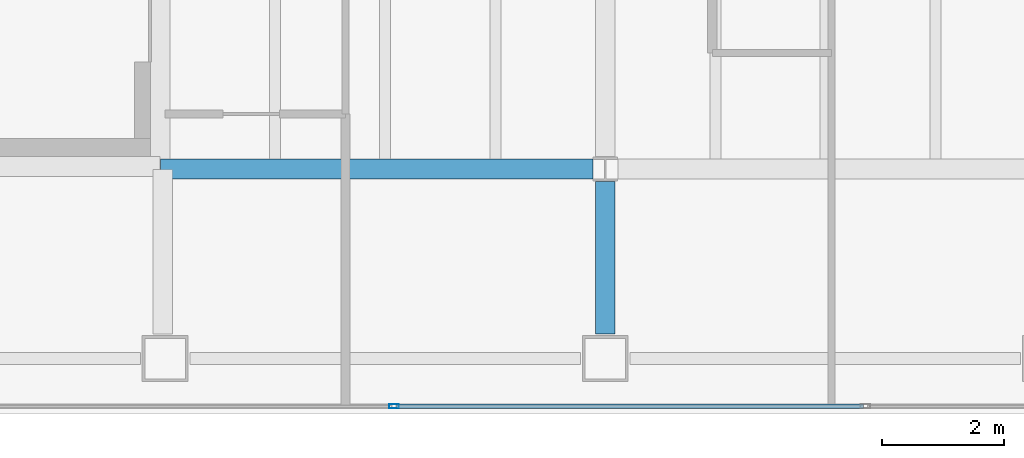
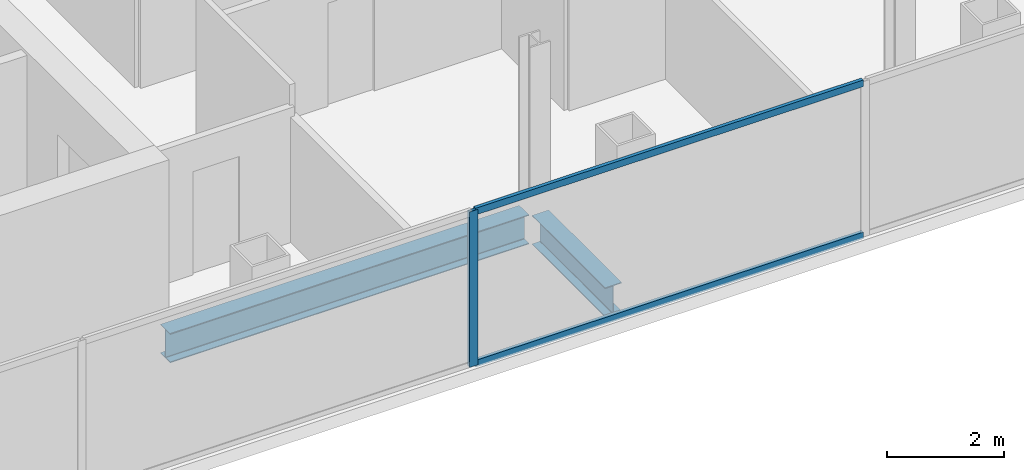
# One storey, part 4 of 23: 3 members, 2 beams, 1 element without a shape of its own.
"""IFC4 building model written with IfcOpenShell, lengths in metres."""

from ifc_helpers import new_model, si_unit, direction, frame, origin, origin_2d, place, context, subcontext, project, spatial, hollow_rectangle, i_section, extrude, material, material_profile, profile_set, type_object, element, aggregate, save


model = new_model("IFC4")

# Units and contexts
model_context = context("Model", 3, precision=1e-05, world=origin(), true_north=direction((0.0, 1.0)))
body_context = subcontext(model_context, "Body", "Model", "MODEL_VIEW")
ifc_project = project(units=[si_unit("LENGTHUNIT", "METRE"), si_unit("AREAUNIT", "SQUARE_METRE"), si_unit("VOLUMEUNIT", "CUBIC_METRE"), si_unit("PLANEANGLEUNIT", "RADIAN"), si_unit("MASSUNIT", "GRAM", prefix="KILO")], contexts=[model_context])

# Site, building, storey
site_placement = place(None, origin())
site = spatial("IfcSite", under=ifc_project, at=site_placement, CompositionType="ELEMENT")
building_placement = place(site_placement, origin())
building = spatial("IfcBuilding", under=site, at=building_placement, Name="Cobrela Telecom Tower", CompositionType="ELEMENT")
storey_placement = place(building_placement, frame((0.0, 0.0, 201.25)))
storey = spatial("IfcBuildingStorey", under=building, at=storey_placement, Name="L51", CompositionType="ELEMENT", Elevation=201.25)

# Beams
ifc_material_1 = material(Name="Steel ASTM A992 Grade 50", Category="steel")
ifc_material_profile_1 = material_profile(ifc_material_1, i_section(OverallWidth=0.324951171875, OverallDepth=0.612060546875, WebThickness=0.0126953125, FlangeThickness=0.01904296875, FilletRadius=0.014892578125, at=origin_2d()), Name="W24X104")
ifc_profile_set_1 = profile_set([ifc_material_profile_1], Name="Steel ASTM A992 Grade 50")
beam_type = type_object("IfcBeamType", Name="BM-GIRD-07", PredefinedType="USERDEFINED", material=ifc_profile_set_1)
beam_1_placement = place(storey_placement, frame((14.324951171875, 7.199951171875, -0.56591796875), z_axis=(1.0, 0.0, 0.0), x_axis=(0.0, 1.0, 0.0)))
element("IfcBeam", 1, at=beam_1_placement, inside=storey, type_object=beam_type, Name="L51 Primary Girder X07", ObjectType="GIRDER", PredefinedType="USERDEFINED", context=body_context, shape_type="SweptSolid", body=[
    extrude(i_section(OverallWidth=0.324951171875, OverallDepth=0.612060546875, WebThickness=0.0126953125, FlangeThickness=0.01904296875, FilletRadius=0.014892578125, at=origin_2d()), origin(), (0.0, 0.0, 1.0), 7.070556640625),
])
beam_2_placement = place(storey_placement, frame((21.60009765625, 4.5048828125, -0.56591796875), z_axis=(0.0, 1.0, 0.0), x_axis=(-1.0, 0.0, 0.0)))
element("IfcBeam", 2, at=beam_2_placement, inside=storey, type_object=beam_type, Name="L51 Primary Girder Y32", ObjectType="GIRDER", PredefinedType="USERDEFINED", context=body_context, shape_type="SweptSolid", body=[
    extrude(i_section(OverallWidth=0.324951171875, OverallDepth=0.612060546875, WebThickness=0.0126953125, FlangeThickness=0.01904296875, FilletRadius=0.014892578125, at=origin_2d()), origin(), (0.0, 0.0, 1.0), 2.49072265625),
])

# Curtain wall, members
ifc_material_2 = material(Name="Anodized Bronze Aluminium 6063-T6", Category="aluminium")
curtain_wall_type = type_object("IfcCurtainWallType", Name="CW-SYS-OFF-LO", PredefinedType="USERDEFINED", material=ifc_material_2)
curtain_wall_placement = place(storey_placement, origin())
curtain_wall = element("IfcCurtainWall", 3, at=curtain_wall_placement, inside=storey, type_object=curtain_wall_type, Name="L51 Unitised Bronze Curtain Wall 17", ObjectType="UNITISED CURTAIN WALL", PredefinedType="USERDEFINED")
ifc_material_profile_2 = material_profile(ifc_material_2, hollow_rectangle(XDim=0.070068359375, YDim=0.159912109375, WallThickness=0.00390625, at=origin_2d()), Name="ALU 70x160x4")
ifc_profile_set_2 = profile_set([ifc_material_profile_2], Name="Anodized Bronze Aluminium 6063-T6")
member_type_1 = type_object("IfcMemberType", Name="CW-SYS-OFF-LO-MUL", PredefinedType="MULLION", material=ifc_profile_set_2)
member_1_placement = place(storey_placement, frame((18.14208984375, 3.320068359375, 0.0), z_axis=(0.0, 0.0, 1.0), x_axis=(0.0, -1.0, 0.0)))
member_1 = element("IfcMember", 4, at=member_1_placement, type_object=member_type_1, Name="CW-OFF-LO mullion 4", PredefinedType="MULLION", context=body_context, shape_type="SweptSolid", body=[
    extrude(hollow_rectangle(XDim=0.070068359375, YDim=0.159912109375, WallThickness=0.00390625, at=origin_2d()), origin(), (0.0, 0.0, 1.0), 3.239990234375),
])
ifc_material_profile_3 = material_profile(ifc_material_2, hollow_rectangle(XDim=0.070068359375, YDim=0.139892578125, WallThickness=0.00390625, at=origin_2d()), Name="ALU 70x140x4")
ifc_profile_set_3 = profile_set([ifc_material_profile_3], Name="Anodized Bronze Aluminium 6063-T6")
member_type_2 = type_object("IfcMemberType", Name="CW-SYS-OFF-LO-TRN", PredefinedType="USERDEFINED", material=ifc_profile_set_3)
member_2_placement = place(storey_placement, frame((25.822998046875, 3.320068359375, 0.034912109375), z_axis=(-1.0, 0.0, 0.0), x_axis=(0.0, -1.0, 0.0)))
member_2 = element("IfcMember", 5, at=member_2_placement, type_object=member_type_2, Name="CW-OFF-LO transom 3.1", ObjectType="TRANSOM", PredefinedType="USERDEFINED", context=body_context, shape_type="SweptSolid", body=[
    extrude(hollow_rectangle(XDim=0.070068359375, YDim=0.139892578125, WallThickness=0.00390625, at=origin_2d()), origin(), (0.0, 0.0, 1.0), 7.64599609375),
])
member_3_placement = place(storey_placement, frame((25.822998046875, 3.320068359375, 3.205078125), z_axis=(-1.0, 0.0, 0.0), x_axis=(0.0, -1.0, 0.0)))
member_3 = element("IfcMember", 6, at=member_3_placement, type_object=member_type_2, Name="CW-OFF-LO transom 3.2", ObjectType="TRANSOM", PredefinedType="USERDEFINED", context=body_context, shape_type="SweptSolid", body=[
    extrude(hollow_rectangle(XDim=0.070068359375, YDim=0.139892578125, WallThickness=0.00390625, at=origin_2d()), origin(), (0.0, 0.0, 1.0), 7.64599609375),
])
aggregate(curtain_wall, [member_1, member_2, member_3])

save(model, "model.ifc")
